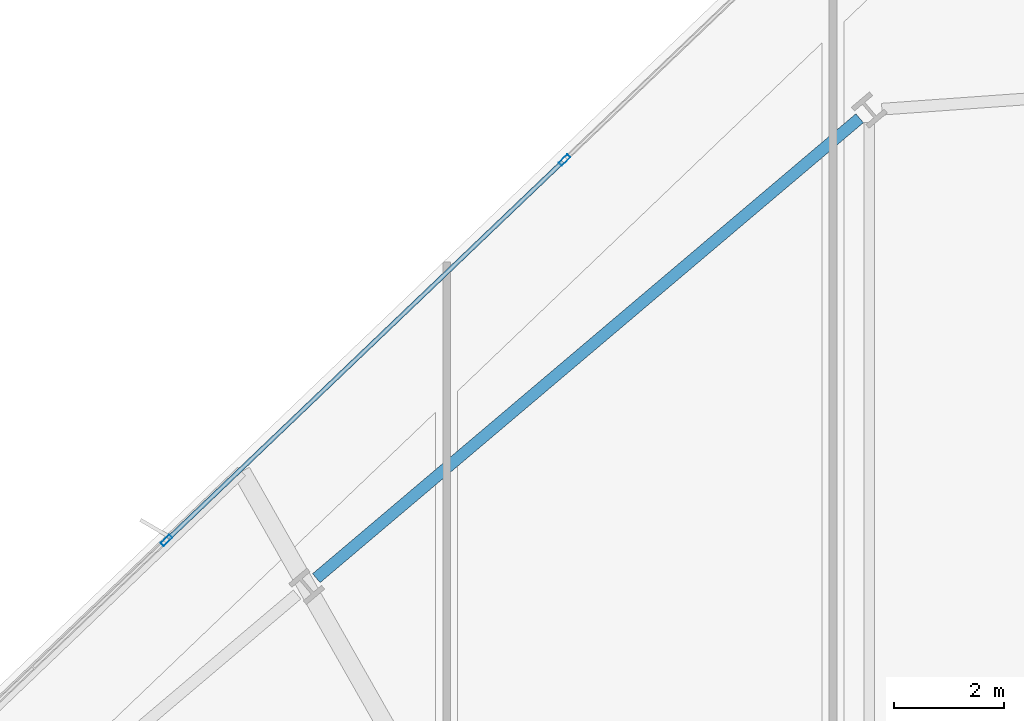
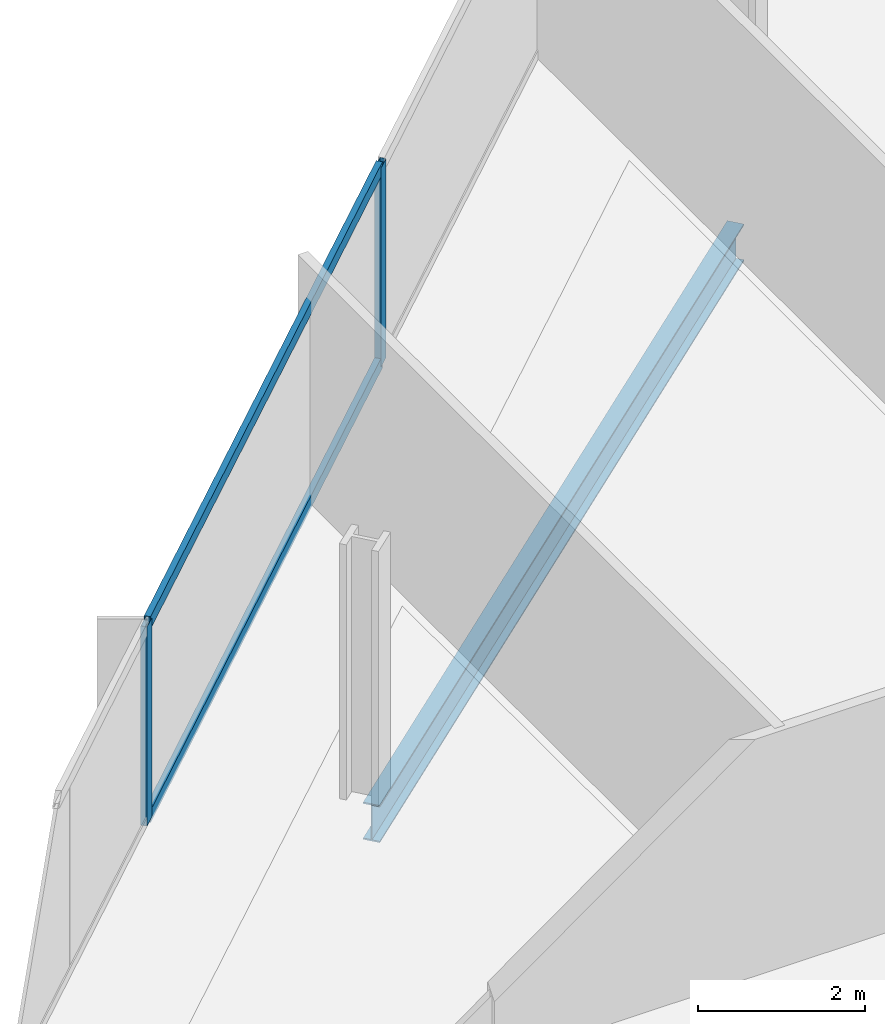
# One storey, part 17 of 33: 4 members, 1 beam, 1 element without a shape of its own.
"""IFC4 building model written with IfcOpenShell, lengths in metres."""

from ifc_helpers import new_model, si_unit, direction, frame, origin, origin_2d, place, context, subcontext, project, spatial, hollow_rectangle, i_section, extrude, material, material_profile, profile_set, type_object, element, aggregate, save


model = new_model("IFC4")

# Units and contexts
model_context = context("Model", 3, precision=1e-05, world=origin(), true_north=direction((0.0, 1.0)))
body_context = subcontext(model_context, "Body", "Model", "MODEL_VIEW")
ifc_project = project(units=[si_unit("LENGTHUNIT", "METRE"), si_unit("AREAUNIT", "SQUARE_METRE"), si_unit("VOLUMEUNIT", "CUBIC_METRE"), si_unit("PLANEANGLEUNIT", "RADIAN"), si_unit("MASSUNIT", "GRAM", prefix="KILO")], contexts=[model_context])

# Site, building, storey
site_placement = place(None, origin())
site = spatial("IfcSite", under=ifc_project, at=site_placement, CompositionType="ELEMENT")
building_placement = place(site_placement, origin())
building = spatial("IfcBuilding", under=site, at=building_placement, Name="Haldenkirk Collegiate Tower", CompositionType="ELEMENT")
storey_placement = place(building_placement, frame((0.0, 0.0, 174.449951171875)))
storey = spatial("IfcBuildingStorey", under=building, at=storey_placement, Name="L43", CompositionType="ELEMENT", Elevation=174.449951171875)

# Beam
ifc_material_1 = material(Name="Steel ASTM A992 Grade 50", Category="steel")
ifc_material_profile_1 = material_profile(ifc_material_1, i_section(OverallWidth=0.2119140625, OverallDepth=0.5439453125, WebThickness=0.01318359375, FlangeThickness=0.021240234375, at=origin_2d()), Name="W21X83")
ifc_profile_set_1 = profile_set([ifc_material_profile_1], Name="Steel ASTM A992 Grade 50")
beam_type = type_object("IfcBeamType", Name="BM-SPANDREL-W21X83", PredefinedType="SPANDREL", material=ifc_profile_set_1)
beam_placement = place(storey_placement, frame((32.482666015625, 50.471435546875, -0.56201171875), z_axis=(-0.763233335078, -0.646122957514, 0.0), x_axis=(0.646122957514, -0.763233335078, 0.0)))
element("IfcBeam", 1, at=beam_placement, inside=storey, type_object=beam_type, Name="L43 perimeter spandrel beam 10", PredefinedType="SPANDREL", context=body_context, shape_type="SweptSolid", body=[
    extrude(i_section(OverallWidth=0.2119140625, OverallDepth=0.5439453125, WebThickness=0.01318359375, FlangeThickness=0.021240234375, at=origin_2d()), origin(), (0.0, 0.0, 1.0), 12.898193359375),
])

# Curtain wall, members
ifc_material_2 = material(Name="Anodised architectural bronze aluminium", Category="aluminium")
curtain_wall_type = type_object("IfcCurtainWallType", Name="CW-SYS1-CONVEX-LOW", PredefinedType="USERDEFINED", material=ifc_material_2)
curtain_wall_placement = place(storey_placement, origin())
curtain_wall = element("IfcCurtainWall", 2, at=curtain_wall_placement, inside=storey, type_object=curtain_wall_type, Name="L43 Lower tower convex bronze-framed unitised curtain wall", ObjectType="UNITISED CURTAIN WALL", PredefinedType="USERDEFINED")
ifc_material_profile_2 = material_profile(ifc_material_2, hollow_rectangle(XDim=0.080078125, YDim=0.219970703125, WallThickness=0.0048828125, at=origin_2d()), Name="CW-MUL-1A")
ifc_profile_set_2 = profile_set([ifc_material_profile_2], Name="Anodised architectural bronze aluminium")
member_type_1 = type_object("IfcMemberType", Name="CW-MUL-1A", PredefinedType="MULLION", material=ifc_profile_set_2)
member_1_placement = place(storey_placement, frame((19.923095703125, 42.823486328125, 0.0), z_axis=(0.0, 0.0, 1.0), x_axis=(-0.690882167458, 0.722967378717, 0.0)))
member_1 = element("IfcMember", 3, at=member_1_placement, type_object=member_type_1, Name="CW-1A mullion 3", PredefinedType="MULLION", context=body_context, shape_type="SweptSolid", body=[
    extrude(hollow_rectangle(XDim=0.080078125, YDim=0.219970703125, WallThickness=0.0048828125, at=origin_2d()), origin(), (0.0, 0.0, 1.0), 2.9111328125),
])
member_2_placement = place(storey_placement, frame((27.134765625, 49.715087890625, 0.0), z_axis=(0.0, 0.0, 1.0), x_axis=(-0.690882167458, 0.722967378717, 0.0)))
member_2 = element("IfcMember", 4, at=member_2_placement, type_object=member_type_1, Name="CW-1A mullion 4", PredefinedType="MULLION", context=body_context, shape_type="SweptSolid", body=[
    extrude(hollow_rectangle(XDim=0.080078125, YDim=0.219970703125, WallThickness=0.0048828125, at=origin_2d()), origin(), (0.0, 0.0, 1.0), 2.9111328125),
])
ifc_material_profile_3 = material_profile(ifc_material_2, hollow_rectangle(XDim=0.080078125, YDim=0.179931640625, WallThickness=0.0048828125, at=origin_2d()), Name="CW-TRN-1A")
ifc_profile_set_3 = profile_set([ifc_material_profile_3], Name="Anodised architectural bronze aluminium")
member_type_2 = type_object("IfcMemberType", Name="CW-TRN-1A", PredefinedType="USERDEFINED", material=ifc_profile_set_3)
member_3_placement = place(storey_placement, frame((19.9521484375, 42.85107421875, 0.0400390625), z_axis=(0.722962209193, 0.690887577019, 0.0), x_axis=(-0.690887577019, 0.722962209193, 0.0)))
member_3 = element("IfcMember", 5, at=member_3_placement, type_object=member_type_2, Name="CW-1A transom 3.1", ObjectType="TRANSOM", PredefinedType="USERDEFINED", context=body_context, shape_type="SweptSolid", body=[
    extrude(hollow_rectangle(XDim=0.080078125, YDim=0.179931640625, WallThickness=0.0048828125, at=origin_2d()), origin(), (0.0, 0.0, 1.0), 9.89501953125),
])
member_4_placement = place(storey_placement, frame((19.9521484375, 42.85107421875, 2.87109375), z_axis=(0.722962209193, 0.690887577019, 0.0), x_axis=(-0.690887577019, 0.722962209193, 0.0)))
member_4 = element("IfcMember", 6, at=member_4_placement, type_object=member_type_2, Name="CW-1A transom 3.2", ObjectType="TRANSOM", PredefinedType="USERDEFINED", context=body_context, shape_type="SweptSolid", body=[
    extrude(hollow_rectangle(XDim=0.080078125, YDim=0.179931640625, WallThickness=0.0048828125, at=origin_2d()), origin(), (0.0, 0.0, 1.0), 9.89501953125),
])
aggregate(curtain_wall, [member_1, member_2, member_3, member_4])

save(model, "model.ifc")
